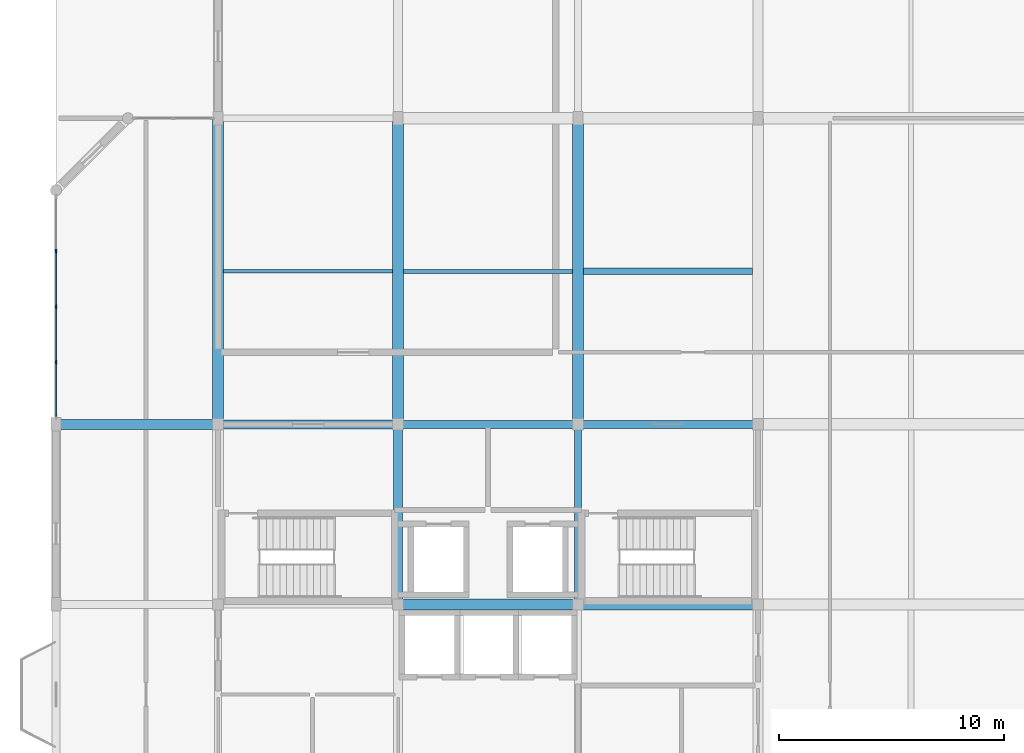
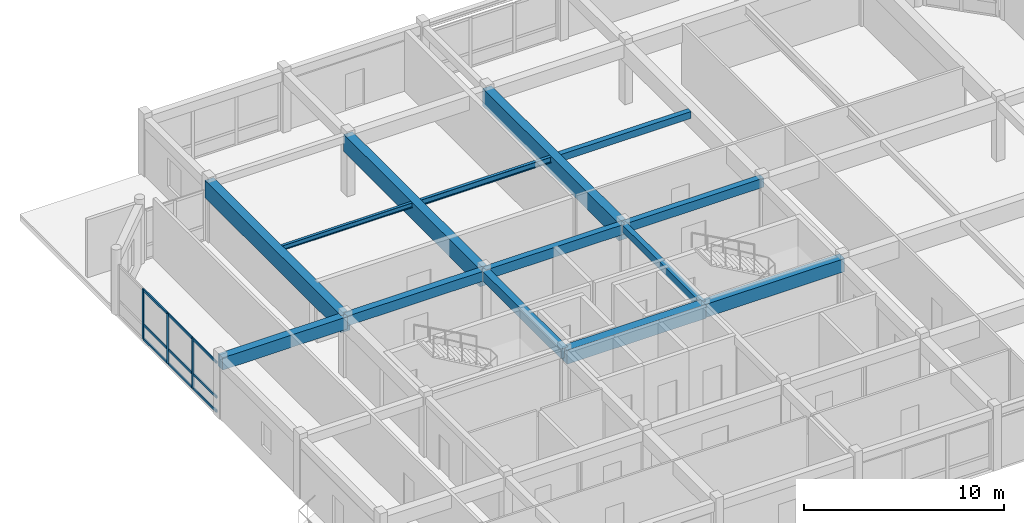
# One storey, part 3 of 12: 14 beams, 12 members, 1 element without a shape of its own.
"""IFC4 building model written with IfcOpenShell, lengths in metres."""

from ifc_helpers import new_model, si_unit, direction, frame, origin, origin_2d, place, context, subcontext, project, spatial, rectangle, i_section, extrude, material, material_profile, profile_set, type_object, element, aggregate, save


model = new_model("IFC4")

# Units and contexts
model_context = context("Model", 3, precision=1e-05, world=origin(), true_north=direction((0.0, 1.0)))
body_context = subcontext(model_context, "Body", "Model", "MODEL_VIEW")
ifc_project = project(units=[si_unit("LENGTHUNIT", "METRE"), si_unit("AREAUNIT", "SQUARE_METRE"), si_unit("VOLUMEUNIT", "CUBIC_METRE"), si_unit("PLANEANGLEUNIT", "RADIAN"), si_unit("MASSUNIT", "GRAM", prefix="KILO")], contexts=[model_context])

# Site, building, storey
site_placement = place(None, origin())
site = spatial("IfcSite", under=ifc_project, at=site_placement, CompositionType="ELEMENT")
building_placement = place(site_placement, origin())
building = spatial("IfcBuilding", under=site, at=building_placement, Name="Vellmiral Cinema and Media Centre", CompositionType="ELEMENT")
storey_placement = place(building_placement, frame((0.0, 0.0, 62.64990234375)))
storey = spatial("IfcBuildingStorey", under=building, at=storey_placement, Name="L15", CompositionType="ELEMENT", Elevation=62.64990234375)

# Beams
ifc_material_1 = material(Name="Concrete C40/50", Category="concrete")
ifc_material_profile_1 = material_profile(ifc_material_1, rectangle(XDim=0.300048828125, YDim=0.449951171875, at=origin_2d()), Name="RC 300x450")
ifc_profile_set_1 = profile_set([ifc_material_profile_1], Name="Concrete C40/50")
beam_type_1 = type_object("IfcBeamType", Name="BM-RC-300x450", PredefinedType="BEAM", material=ifc_profile_set_1)
beam_1_placement = place(storey_placement, frame((140.0, 87.199951171875, 3.420166015625), z_axis=(0.0, 1.0, 0.0), x_axis=(-1.0, 0.0, 0.0)))
element("IfcBeam", 1, at=beam_1_placement, inside=storey, type_object=beam_type_1, Name="Grid Beam L15-Y045", PredefinedType="BEAM", context=body_context, shape_type="SweptSolid", body=[
    extrude(rectangle(XDim=0.300048828125, YDim=0.449951171875, at=origin_2d()), origin(), (0.0, 0.0, 1.0), 8.0),
])
ifc_material_2 = material(Name="Concrete C40/50", Category="concrete")
ifc_material_profile_2 = material_profile(ifc_material_2, rectangle(XDim=0.35009765625, YDim=0.550048828125, at=origin_2d()), Name="RC 350x550")
ifc_profile_set_2 = profile_set([ifc_material_profile_2], Name="Concrete C40/50")
beam_type_2 = type_object("IfcBeamType", Name="BM-RC-350x550", PredefinedType="BEAM", material=ifc_profile_set_2)
beam_2_placement = place(storey_placement, frame((140.0, 95.199951171875, 3.3701171875), z_axis=(1.0, 0.0, 0.0), x_axis=(0.0, 1.0, 0.0)))
element("IfcBeam", 2, at=beam_2_placement, inside=storey, type_object=beam_type_2, Name="Grid Beam L15-X020", PredefinedType="BEAM", context=body_context, shape_type="SweptSolid", body=[
    extrude(rectangle(XDim=0.35009765625, YDim=0.550048828125, at=origin_2d()), origin(), (0.0, 0.0, 1.0), 8.0),
])
ifc_material_3 = material(Name="Concrete C40/50", Category="concrete")
ifc_material_profile_3 = material_profile(ifc_material_3, rectangle(XDim=0.35009765625, YDim=0.60009765625, at=origin_2d()), Name="RC 350x600")
ifc_profile_set_3 = profile_set([ifc_material_profile_3], Name="Concrete C40/50")
beam_type_3 = type_object("IfcBeamType", Name="BM-RC-350x600", PredefinedType="BEAM", material=ifc_profile_set_3)
beam_3_placement = place(storey_placement, frame((132.0, 95.199951171875, 3.34521484375), z_axis=(1.0, 0.0, 0.0), x_axis=(0.0, 1.0, 0.0)))
element("IfcBeam", 3, at=beam_3_placement, inside=storey, type_object=beam_type_3, Name="Grid Beam L15-X019", PredefinedType="BEAM", context=body_context, shape_type="SweptSolid", body=[
    extrude(rectangle(XDim=0.35009765625, YDim=0.60009765625, at=origin_2d()), origin(), (0.0, 0.0, 1.0), 8.0),
])
ifc_material_4 = material(Name="Concrete C40/50", Category="concrete")
ifc_material_profile_4 = material_profile(ifc_material_4, rectangle(XDim=0.39990234375, YDim=0.60009765625, at=origin_2d()), Name="RC 400x600")
ifc_profile_set_4 = profile_set([ifc_material_profile_4], Name="Concrete C40/50")
beam_type_4 = type_object("IfcBeamType", Name="BM-RC-400x600", PredefinedType="BEAM", material=ifc_profile_set_4)
for number, where, z_axis, x_axis, name in (
    (4, (124.0, 95.199951171875, 3.34521484375), (1.0, 0.0, 0.0), (0.0, 1.0, 0.0), "Grid Beam L15-X018"),
    (5, (132.0, 87.199951171875, 3.34521484375), (0.0, 1.0, 0.0), (-1.0, 0.0, 0.0), "Grid Beam L15-Y040"),
):
    element("IfcBeam", number, at=place(storey_placement, frame(where, z_axis=z_axis, x_axis=x_axis)), inside=storey, type_object=beam_type_4, Name=name, PredefinedType="BEAM", context=body_context, shape_type="SweptSolid", body=[
        extrude(rectangle(XDim=0.39990234375, YDim=0.60009765625, at=origin_2d()), origin(), (0.0, 0.0, 1.0), 8.0),
    ])
ifc_material_5 = material(Name="Concrete C40/50", Category="concrete")
ifc_material_profile_5 = material_profile(ifc_material_5, rectangle(XDim=0.449951171875, YDim=0.75, at=origin_2d()), Name="RC 450x750")
ifc_profile_set_5 = profile_set([ifc_material_profile_5], Name="Concrete C40/50")
beam_type_5 = type_object("IfcBeamType", Name="BM-RC-450x750", PredefinedType="BEAM", material=ifc_profile_set_5)
beam_4_placement = place(storey_placement, frame((116.800048828125, 95.199951171875, 3.27001953125), z_axis=(1.0, 0.0, 0.0), x_axis=(0.0, 1.0, 0.0)))
element("IfcBeam", 6, at=beam_4_placement, inside=storey, type_object=beam_type_5, Name="Grid Beam L15-X017", PredefinedType="BEAM", context=body_context, shape_type="SweptSolid", body=[
    extrude(rectangle(XDim=0.449951171875, YDim=0.75, at=origin_2d()), origin(), (0.0, 0.0, 1.0), 7.199951171875),
])
ifc_material_6 = material(Name="Concrete C40/50", Category="concrete")
ifc_material_profile_6 = material_profile(ifc_material_6, rectangle(XDim=0.5, YDim=0.800048828125, at=origin_2d()), Name="RC 500x800")
ifc_profile_set_6 = profile_set([ifc_material_profile_6], Name="Concrete C40/50")
beam_type_6 = type_object("IfcBeamType", Name="BM-RC-500x800", PredefinedType="BEAM", material=ifc_profile_set_6)
beam_5_placement = place(storey_placement, frame((140.0, 87.199951171875, 3.2451171875), z_axis=(1.0, 0.0, 0.0), x_axis=(0.0, 1.0, 0.0)))
element("IfcBeam", 7, at=beam_5_placement, inside=storey, type_object=beam_type_6, Name="Grid Beam L15-X014", PredefinedType="BEAM", context=body_context, shape_type="SweptSolid", body=[
    extrude(rectangle(XDim=0.5, YDim=0.800048828125, at=origin_2d()), origin(), (0.0, 0.0, 1.0), 8.0),
])
ifc_material_7 = material(Name="Concrete C40/50", Category="concrete")
ifc_material_profile_7 = material_profile(ifc_material_7, rectangle(XDim=0.5, YDim=0.85009765625, at=origin_2d()), Name="RC 500x850")
ifc_profile_set_7 = profile_set([ifc_material_profile_7], Name="Concrete C40/50")
beam_type_7 = type_object("IfcBeamType", Name="BM-RC-500x850", PredefinedType="BEAM", material=ifc_profile_set_7)
beam_6_placement = place(storey_placement, frame((132.0, 87.199951171875, 3.22021484375), z_axis=(1.0, 0.0, 0.0), x_axis=(0.0, 1.0, 0.0)))
element("IfcBeam", 8, at=beam_6_placement, inside=storey, type_object=beam_type_7, Name="Grid Beam L15-X013", PredefinedType="BEAM", context=body_context, shape_type="SweptSolid", body=[
    extrude(rectangle(XDim=0.5, YDim=0.85009765625, at=origin_2d()), origin(), (0.0, 0.0, 1.0), 8.0),
])
ifc_material_8 = material(Name="Concrete C40/50", Category="concrete")
ifc_material_profile_8 = material_profile(ifc_material_8, rectangle(XDim=0.5, YDim=1.050048828125, at=origin_2d()), Name="RC 500x1050")
ifc_profile_set_8 = profile_set([ifc_material_profile_8], Name="Concrete C40/50")
beam_type_8 = type_object("IfcBeamType", Name="BM-RCG-500x1050", PredefinedType="BEAM", material=ifc_profile_set_8)
for number, where, z_axis, x_axis, name in (
    (9, (124.0, 95.199951171875, 3.1201171875), (0.0, 1.0, 0.0), (-1.0, 0.0, 0.0), "Grid Beam L15-Y036"),
    (10, (132.0, 95.199951171875, 3.1201171875), (0.0, 1.0, 0.0), (-1.0, 0.0, 0.0), "Grid Beam L15-Y041"),
    (11, (140.0, 95.199951171875, 3.1201171875), (0.0, 1.0, 0.0), (-1.0, 0.0, 0.0), "Grid Beam L15-Y046"),
):
    element("IfcBeam", number, at=place(storey_placement, frame(where, z_axis=z_axis, x_axis=x_axis)), inside=storey, type_object=beam_type_8, Name=name, PredefinedType="BEAM", context=body_context, shape_type="SweptSolid", body=[
        extrude(rectangle(XDim=0.5, YDim=1.050048828125, at=origin_2d()), origin(), (0.0, 0.0, 1.0), 13.60009765625),
    ])

# Curtain wall, members
ifc_material_9 = material(Name="Thermally Broken Aluminium and Triple Glazing", Category="aluminium")
curtain_wall_type = type_object("IfcCurtainWallType", Name="CW-CROWN-LANTERN", PredefinedType="USERDEFINED", material=ifc_material_9)
curtain_wall_placement = place(storey_placement, origin())
curtain_wall = element("IfcCurtainWall", 12, at=curtain_wall_placement, inside=storey, type_object=curtain_wall_type, Name="Curtain Wall L15-B022", ObjectType="STICK CURTAIN WALL", PredefinedType="USERDEFINED")
ifc_material_10 = material(Name="Thermally Broken Anodised Aluminium", Category="aluminium")
ifc_material_profile_9 = material_profile(ifc_material_10, rectangle(XDim=0.070068359375, YDim=0.179931640625, at=origin_2d()), Name="MULL 70x180")
ifc_profile_set_9 = profile_set([ifc_material_profile_9], Name="Thermally Broken Anodised Aluminium")
member_type_1 = type_object("IfcMemberType", Name="CWM-70x180", PredefinedType="MULLION", material=ifc_profile_set_9)
member_1_placement = place(storey_placement, frame((116.800048828125, 102.887451171875, 0.0), z_axis=(0.0, 0.0, 1.0), x_axis=(1.0, 0.0, 0.0)))
member_1 = element("IfcMember", 13, at=member_1_placement, type_object=member_type_1, Name="CW-10 mullion 2", PredefinedType="MULLION", context=body_context, shape_type="SweptSolid", body=[
    extrude(rectangle(XDim=0.070068359375, YDim=0.179931640625, at=origin_2d()), origin(), (0.0, 0.0, 1.0), 3.050048828125),
])
member_2_placement = place(storey_placement, frame((116.800048828125, 100.425048828125, 0.0), z_axis=(0.0, 0.0, 1.0), x_axis=(1.0, 0.0, 0.0)))
member_2 = element("IfcMember", 14, at=member_2_placement, type_object=member_type_1, Name="CW-10 mullion 3", PredefinedType="MULLION", context=body_context, shape_type="SweptSolid", body=[
    extrude(rectangle(XDim=0.070068359375, YDim=0.179931640625, at=origin_2d()), origin(), (0.0, 0.0, 1.0), 3.050048828125),
])
member_3_placement = place(storey_placement, frame((116.800048828125, 97.96240234375, 0.0), z_axis=(0.0, 0.0, 1.0), x_axis=(1.0, 0.0, 0.0)))
member_3 = element("IfcMember", 15, at=member_3_placement, type_object=member_type_1, Name="CW-10 mullion 4", PredefinedType="MULLION", context=body_context, shape_type="SweptSolid", body=[
    extrude(rectangle(XDim=0.070068359375, YDim=0.179931640625, at=origin_2d()), origin(), (0.0, 0.0, 1.0), 3.050048828125),
])
ifc_material_11 = material(Name="Thermally Broken Anodised Aluminium", Category="aluminium")
ifc_material_profile_10 = material_profile(ifc_material_11, rectangle(XDim=0.070068359375, YDim=0.14990234375, at=origin_2d()), Name="MULL 70x150")
ifc_profile_set_10 = profile_set([ifc_material_profile_10], Name="Thermally Broken Anodised Aluminium")
member_type_2 = type_object("IfcMemberType", Name="CWT-70x150", PredefinedType="USERDEFINED", material=ifc_profile_set_10)
member_4_placement = place(storey_placement, frame((116.800048828125, 102.8525390625, 0.03515625), z_axis=(0.0, -1.0, 0.0), x_axis=(1.0, 0.0, 0.0)))
member_4 = element("IfcMember", 16, at=member_4_placement, type_object=member_type_2, Name="CW-10 transom 2.1", ObjectType="TRANSOM", PredefinedType="USERDEFINED", context=body_context, shape_type="SweptSolid", body=[
    extrude(rectangle(XDim=0.070068359375, YDim=0.14990234375, at=origin_2d()), origin(), (0.0, 0.0, 1.0), 2.392578125),
])
member_5_placement = place(storey_placement, frame((116.800048828125, 102.8525390625, 0.900146484375), z_axis=(0.0, -1.0, 0.0), x_axis=(1.0, 0.0, 0.0)))
member_5 = element("IfcMember", 17, at=member_5_placement, type_object=member_type_2, Name="CW-10 transom 2.2", ObjectType="TRANSOM", PredefinedType="USERDEFINED", context=body_context, shape_type="SweptSolid", body=[
    extrude(rectangle(XDim=0.070068359375, YDim=0.14990234375, at=origin_2d()), origin(), (0.0, 0.0, 1.0), 2.392578125),
])
member_6_placement = place(storey_placement, frame((116.800048828125, 102.8525390625, 3.01513671875), z_axis=(0.0, -1.0, 0.0), x_axis=(1.0, 0.0, 0.0)))
member_6 = element("IfcMember", 18, at=member_6_placement, type_object=member_type_2, Name="CW-10 transom 2.3", ObjectType="TRANSOM", PredefinedType="USERDEFINED", context=body_context, shape_type="SweptSolid", body=[
    extrude(rectangle(XDim=0.070068359375, YDim=0.14990234375, at=origin_2d()), origin(), (0.0, 0.0, 1.0), 2.392578125),
])
member_7_placement = place(storey_placement, frame((116.800048828125, 100.389892578125, 0.03515625), z_axis=(0.0, -1.0, 0.0), x_axis=(1.0, 0.0, 0.0)))
member_7 = element("IfcMember", 19, at=member_7_placement, type_object=member_type_2, Name="CW-10 transom 3.1", ObjectType="TRANSOM", PredefinedType="USERDEFINED", context=body_context, shape_type="SweptSolid", body=[
    extrude(rectangle(XDim=0.070068359375, YDim=0.14990234375, at=origin_2d()), origin(), (0.0, 0.0, 1.0), 2.392333984375),
])
member_8_placement = place(storey_placement, frame((116.800048828125, 100.389892578125, 0.900146484375), z_axis=(0.0, -1.0, 0.0), x_axis=(1.0, 0.0, 0.0)))
member_8 = element("IfcMember", 20, at=member_8_placement, type_object=member_type_2, Name="CW-10 transom 3.2", ObjectType="TRANSOM", PredefinedType="USERDEFINED", context=body_context, shape_type="SweptSolid", body=[
    extrude(rectangle(XDim=0.070068359375, YDim=0.14990234375, at=origin_2d()), origin(), (0.0, 0.0, 1.0), 2.392333984375),
])
member_9_placement = place(storey_placement, frame((116.800048828125, 100.389892578125, 3.01513671875), z_axis=(0.0, -1.0, 0.0), x_axis=(1.0, 0.0, 0.0)))
member_9 = element("IfcMember", 21, at=member_9_placement, type_object=member_type_2, Name="CW-10 transom 3.3", ObjectType="TRANSOM", PredefinedType="USERDEFINED", context=body_context, shape_type="SweptSolid", body=[
    extrude(rectangle(XDim=0.070068359375, YDim=0.14990234375, at=origin_2d()), origin(), (0.0, 0.0, 1.0), 2.392333984375),
])
member_10_placement = place(storey_placement, frame((116.800048828125, 97.927490234375, 0.03515625), z_axis=(0.0, -1.0, 0.0), x_axis=(1.0, 0.0, 0.0)))
member_10 = element("IfcMember", 22, at=member_10_placement, type_object=member_type_2, Name="CW-10 transom 4.1", ObjectType="TRANSOM", PredefinedType="USERDEFINED", context=body_context, shape_type="SweptSolid", body=[
    extrude(rectangle(XDim=0.070068359375, YDim=0.14990234375, at=origin_2d()), origin(), (0.0, 0.0, 1.0), 2.357421875),
])
member_11_placement = place(storey_placement, frame((116.800048828125, 97.927490234375, 0.900146484375), z_axis=(0.0, -1.0, 0.0), x_axis=(1.0, 0.0, 0.0)))
member_11 = element("IfcMember", 23, at=member_11_placement, type_object=member_type_2, Name="CW-10 transom 4.2", ObjectType="TRANSOM", PredefinedType="USERDEFINED", context=body_context, shape_type="SweptSolid", body=[
    extrude(rectangle(XDim=0.070068359375, YDim=0.14990234375, at=origin_2d()), origin(), (0.0, 0.0, 1.0), 2.357421875),
])
member_12_placement = place(storey_placement, frame((116.800048828125, 97.927490234375, 3.01513671875), z_axis=(0.0, -1.0, 0.0), x_axis=(1.0, 0.0, 0.0)))
member_12 = element("IfcMember", 24, at=member_12_placement, type_object=member_type_2, Name="CW-10 transom 4.3", ObjectType="TRANSOM", PredefinedType="USERDEFINED", context=body_context, shape_type="SweptSolid", body=[
    extrude(rectangle(XDim=0.070068359375, YDim=0.14990234375, at=origin_2d()), origin(), (0.0, 0.0, 1.0), 2.357421875),
])
aggregate(curtain_wall, [member_1, member_2, member_3, member_4, member_5, member_6, member_7, member_8, member_9, member_10, member_11, member_12])

# Beams
ifc_material_12 = material(Name="Concrete C40/50", Category="concrete")
ifc_material_profile_11 = material_profile(ifc_material_12, rectangle(XDim=0.300048828125, YDim=0.419921875, at=origin_2d()), Name="RC 300x420")
ifc_profile_set_11 = profile_set([ifc_material_profile_11], Name="Concrete C40/50")
beam_type_9 = type_object("IfcBeamType", Name="JST-RC-300x420", PredefinedType="JOIST", material=ifc_profile_set_11)
beam_7_placement = place(storey_placement, frame((140.25, 102.0, 3.43505859375), z_axis=(1.0, 0.0, 0.0), x_axis=(0.0, 1.0, 0.0)))
element("IfcBeam", 25, at=beam_7_placement, inside=storey, type_object=beam_type_9, Name="Secondary Floor Joist L15-003", PredefinedType="JOIST", context=body_context, shape_type="SweptSolid", body=[
    extrude(rectangle(XDim=0.300048828125, YDim=0.419921875, at=origin_2d()), origin(), (0.0, 0.0, 1.0), 7.5),
])
ifc_material_13 = material(Name="Steel S355", Category="steel")
ifc_material_profile_12 = material_profile(ifc_material_13, i_section(OverallWidth=0.14990234375, OverallDepth=0.300048828125, WebThickness=0.007080078125, FlangeThickness=0.0107421875, FilletRadius=0.014892578125, at=origin_2d()), Name="IPE 300")
ifc_profile_set_12 = profile_set([ifc_material_profile_12], Name="Steel S355")
beam_type_10 = type_object("IfcBeamType", Name="SBM-IPE300", PredefinedType="JOIST", material=ifc_profile_set_12)
beam_8_placement = place(storey_placement, frame((124.25, 102.0, 3.4951171875), z_axis=(1.0, 0.0, 0.0), x_axis=(0.0, 1.0, 0.0)))
element("IfcBeam", 26, at=beam_8_placement, inside=storey, type_object=beam_type_10, Name="Secondary Floor Joist L15-001", PredefinedType="JOIST", context=body_context, shape_type="SweptSolid", body=[
    extrude(i_section(OverallWidth=0.14990234375, OverallDepth=0.300048828125, WebThickness=0.007080078125, FlangeThickness=0.0107421875, FilletRadius=0.014892578125, at=origin_2d()), origin(), (0.0, 0.0, 1.0), 7.5),
])
ifc_material_14 = material(Name="Steel S355", Category="steel")
ifc_material_profile_13 = material_profile(ifc_material_14, i_section(OverallWidth=0.169921875, OverallDepth=0.360107421875, WebThickness=0.008056640625, FlangeThickness=0.0126953125, FilletRadius=0.01806640625, at=origin_2d()), Name="IPE 360")
ifc_profile_set_13 = profile_set([ifc_material_profile_13], Name="Steel S355")
beam_type_11 = type_object("IfcBeamType", Name="SBM-IPE360", PredefinedType="JOIST", material=ifc_profile_set_13)
beam_9_placement = place(storey_placement, frame((132.25, 102.0, 3.465087890625), z_axis=(1.0, 0.0, 0.0), x_axis=(0.0, 1.0, 0.0)))
element("IfcBeam", 27, at=beam_9_placement, inside=storey, type_object=beam_type_11, Name="Secondary Floor Joist L15-002", PredefinedType="JOIST", context=body_context, shape_type="SweptSolid", body=[
    extrude(i_section(OverallWidth=0.169921875, OverallDepth=0.360107421875, WebThickness=0.008056640625, FlangeThickness=0.0126953125, FilletRadius=0.01806640625, at=origin_2d()), origin(), (0.0, 0.0, 1.0), 7.5),
])

save(model, "model.ifc")
